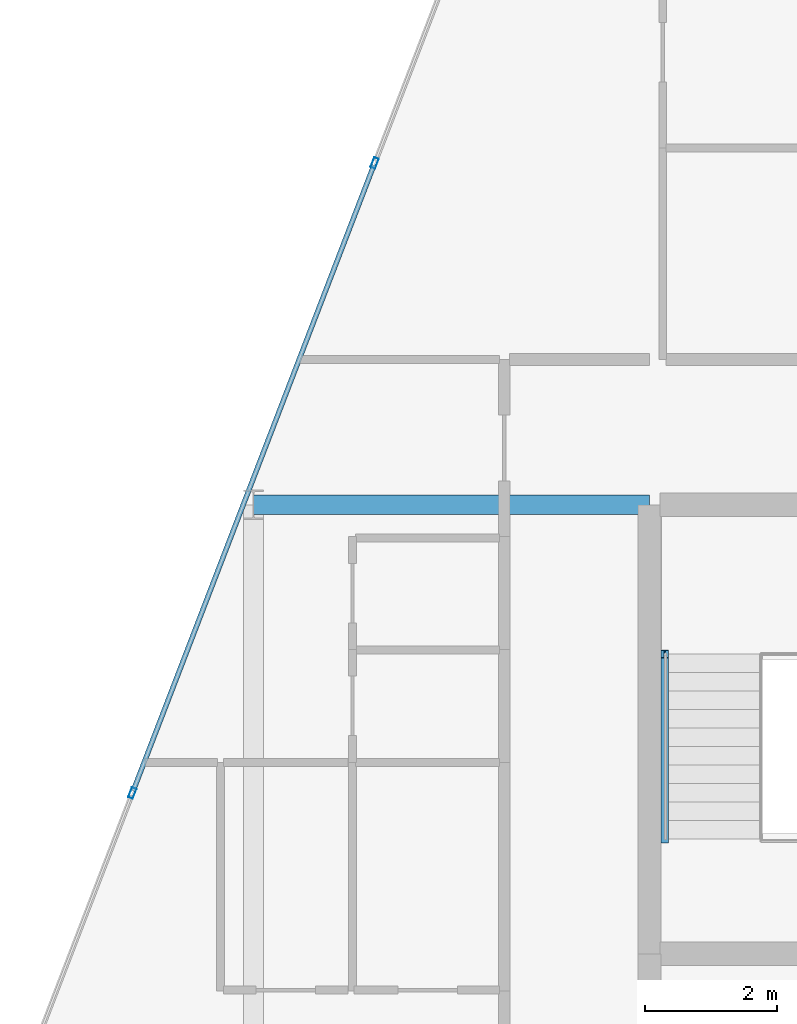
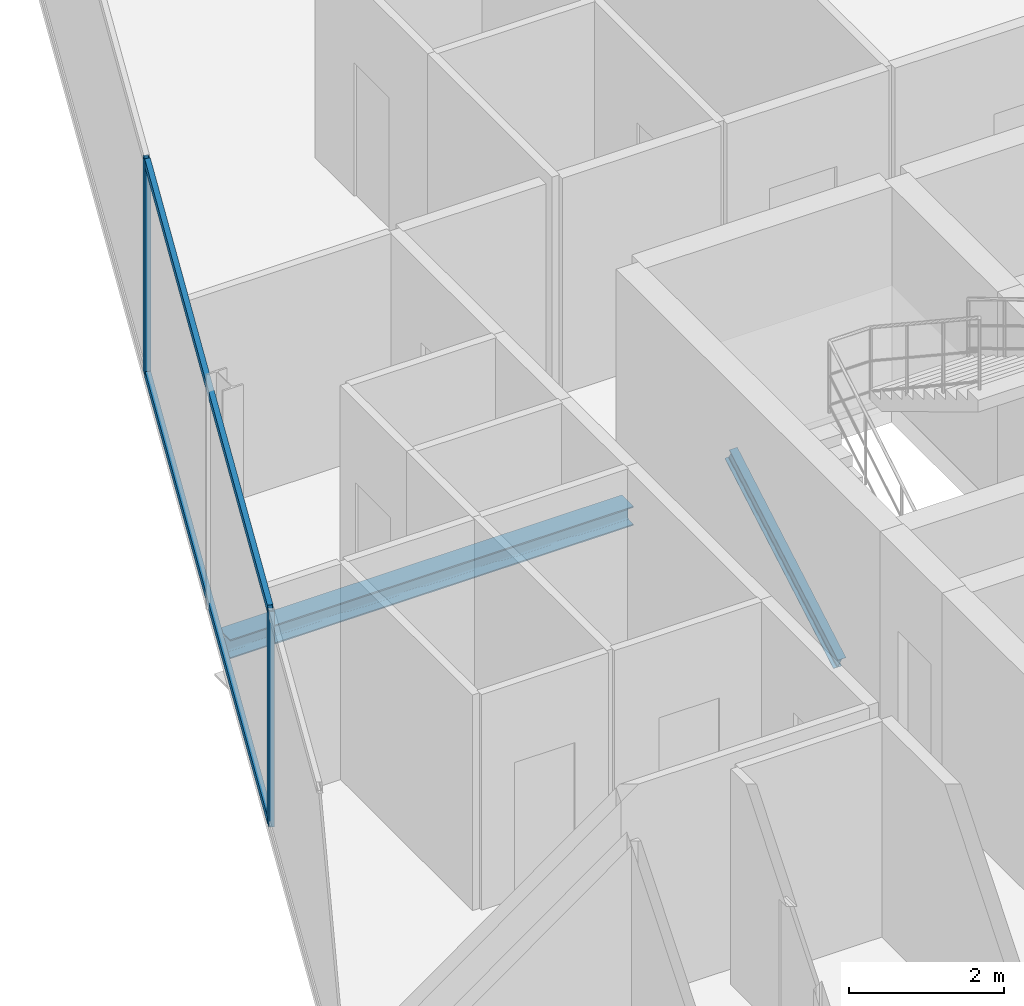
# One storey, part 16 of 29: 5 members, 1 beam, 1 element without a shape of its own.
"""IFC4 building model written with IfcOpenShell, lengths in metres."""

from ifc_helpers import new_model, si_unit, direction, frame, origin, origin_2d, place, context, subcontext, project, spatial, hollow_rectangle, i_section, extrude, material, layer, layer_set, material_profile, profile_set, type_object, element, aggregate, save


model = new_model("IFC4")

# Units and contexts
model_context = context("Model", 3, precision=1e-05, world=origin(), true_north=direction((0.0, 1.0)))
body_context = subcontext(model_context, "Body", "Model", "MODEL_VIEW")
ifc_project = project(units=[si_unit("LENGTHUNIT", "METRE"), si_unit("AREAUNIT", "SQUARE_METRE"), si_unit("VOLUMEUNIT", "CUBIC_METRE"), si_unit("PLANEANGLEUNIT", "RADIAN"), si_unit("MASSUNIT", "GRAM", prefix="KILO")], contexts=[model_context])

# Site, building, storey
site_placement = place(None, origin())
site = spatial("IfcSite", under=ifc_project, at=site_placement, CompositionType="ELEMENT")
building_placement = place(site_placement, origin())
building = spatial("IfcBuilding", under=site, at=building_placement, Name="Keshet Zoharim Tower", CompositionType="ELEMENT")
storey_placement = place(building_placement, frame((0.0, 0.0, 199.5)))
storey = spatial("IfcBuildingStorey", under=building, at=storey_placement, Name="L49", CompositionType="ELEMENT", Elevation=199.5)

# Beam
ifc_material_1 = material(Name="Steel S355", Category="steel")
ifc_material_profile_1 = material_profile(ifc_material_1, i_section(OverallWidth=0.300048828125, OverallDepth=0.300048828125, WebThickness=0.010986328125, FlangeThickness=0.01904296875, FilletRadius=0.027099609375, at=origin_2d()), Name="HEB300")
ifc_profile_set_1 = profile_set([ifc_material_profile_1], Name="Steel S355")
beam_type = type_object("IfcBeamType", Name="BM-PRI-HB300", PredefinedType="BEAM", material=ifc_profile_set_1)
beam_placement = place(storey_placement, frame((9.0, 37.89990234375, -0.4599609375), z_axis=(1.0, 0.0, 0.0), x_axis=(0.0, 1.0, 0.0)))
element("IfcBeam", 1, at=beam_placement, inside=storey, type_object=beam_type, Name="L49 Primary Girder X-017", PredefinedType="BEAM", context=body_context, shape_type="SweptSolid", body=[
    extrude(i_section(OverallWidth=0.300048828125, OverallDepth=0.300048828125, WebThickness=0.010986328125, FlangeThickness=0.01904296875, FilletRadius=0.027099609375, at=origin_2d()), origin(), (0.0, 0.0, 1.0), 6.0),
])

# Curtain wall, members
ifc_material_2 = material(Name="Aluminium 6063-T6", Category="aluminium")
ifc_layer = layer(ifc_material_2, 0.139892578125)
ifc_layer_set = layer_set([ifc_layer], Name="Aluminium 6063-T6")
curtain_wall_type = type_object("IfcCurtainWallType", Name="CW-SYS-05", PredefinedType="NOTDEFINED", material=ifc_layer_set)
curtain_wall_placement = place(storey_placement, origin())
curtain_wall = element("IfcCurtainWall", 2, at=curtain_wall_placement, inside=storey, type_object=curtain_wall_type, Name="L49 Unitised Curtain Wall 13", PredefinedType="NOTDEFINED")
ifc_material_profile_2 = material_profile(ifc_material_2, hollow_rectangle(XDim=0.074951171875, YDim=0.159912109375, WallThickness=0.00390625, at=origin_2d()), Name="MUL-75x160")
ifc_profile_set_2 = profile_set([ifc_material_profile_2], Name="Aluminium 6063-T6")
member_type_1 = type_object("IfcMemberType", Name="CWM-M15", PredefinedType="MULLION", material=ifc_profile_set_2)
member_1_placement = place(storey_placement, frame((7.1669921875, 33.53466796875, 0.0), z_axis=(0.0, 0.0, 1.0), x_axis=(-0.933341404361, 0.358990003907, 0.0)))
member_1 = element("IfcMember", 3, at=member_1_placement, type_object=member_type_1, Name="CW-05 mullion 2", PredefinedType="MULLION", context=body_context, shape_type="SweptSolid", body=[
    extrude(hollow_rectangle(XDim=0.074951171875, YDim=0.159912109375, WallThickness=0.00390625, at=origin_2d()), origin(), (0.0, 0.0, 1.0), 3.389892578125),
])
member_2_placement = place(storey_placement, frame((10.8369140625, 43.076416015625, 0.0), z_axis=(0.0, 0.0, 1.0), x_axis=(-0.933341404361, 0.358990003907, 0.0)))
member_2 = element("IfcMember", 4, at=member_2_placement, type_object=member_type_1, Name="CW-05 mullion 3", PredefinedType="MULLION", context=body_context, shape_type="SweptSolid", body=[
    extrude(hollow_rectangle(XDim=0.074951171875, YDim=0.159912109375, WallThickness=0.00390625, at=origin_2d()), origin(), (0.0, 0.0, 1.0), 3.389892578125),
])
ifc_material_profile_3 = material_profile(ifc_material_2, hollow_rectangle(XDim=0.074951171875, YDim=0.1201171875, WallThickness=0.00390625, at=origin_2d()), Name="TRN-75x120")
ifc_profile_set_3 = profile_set([ifc_material_profile_3], Name="Aluminium 6063-T6")
member_type_2 = type_object("IfcMemberType", Name="CWT-T12", PredefinedType="USERDEFINED", material=ifc_profile_set_3)
member_3_placement = place(storey_placement, frame((7.179443359375, 33.5673828125, 0.034912109375), z_axis=(0.359003248899, 0.933336309848, 0.0), x_axis=(-0.933336309848, 0.359003248899, 0.0)))
member_3 = element("IfcMember", 5, at=member_3_placement, type_object=member_type_2, Name="CW-05 transom 2.1", ObjectType="TRANSOM", PredefinedType="USERDEFINED", context=body_context, shape_type="SweptSolid", body=[
    extrude(hollow_rectangle(XDim=0.074951171875, YDim=0.1201171875, WallThickness=0.00390625, at=origin_2d()), origin(), (0.0, 0.0, 1.0), 10.153076171875),
])
member_4_placement = place(storey_placement, frame((7.179443359375, 33.5673828125, 3.35498046875), z_axis=(0.359003248899, 0.933336309848, 0.0), x_axis=(-0.933336309848, 0.359003248899, 0.0)))
member_4 = element("IfcMember", 6, at=member_4_placement, type_object=member_type_2, Name="CW-05 transom 2.2", ObjectType="TRANSOM", PredefinedType="USERDEFINED", context=body_context, shape_type="SweptSolid", body=[
    extrude(hollow_rectangle(XDim=0.074951171875, YDim=0.1201171875, WallThickness=0.00390625, at=origin_2d()), origin(), (0.0, 0.0, 1.0), 10.153076171875),
])
aggregate(curtain_wall, [member_1, member_2, member_3, member_4])

# Member
ifc_material_profile_4 = material_profile(ifc_material_1, i_section(OverallWidth=0.1201171875, OverallDepth=0.239990234375, WebThickness=0.006103515625, FlangeThickness=0.009765625, FilletRadius=0.014892578125, at=origin_2d()), Name="IPE240")
ifc_profile_set_4 = profile_set([ifc_material_profile_4], Name="Steel S355")
member_type_3 = type_object("IfcMemberType", Name="MB-STRG-IP240", PredefinedType="STRINGER", material=ifc_profile_set_4)
member_5_placement = place(storey_placement, frame((15.22998046875, 32.840087890625, 0.1201171875), z_axis=(0.0, 0.866909569656, 0.498465443174), x_axis=(-1.0, 0.0, 0.0)))
element("IfcMember", 7, at=member_5_placement, inside=storey, type_object=member_type_3, Name="L49 ST-02 Flight Steel Stringer", PredefinedType="STRINGER", context=body_context, shape_type="SweptSolid", body=[
    extrude(i_section(OverallWidth=0.1201171875, OverallDepth=0.239990234375, WebThickness=0.006103515625, FlangeThickness=0.009765625, FilletRadius=0.014892578125, at=origin_2d()), origin(), (0.0, 0.0, 1.0), 3.229736328125),
])

save(model, "model.ifc")
